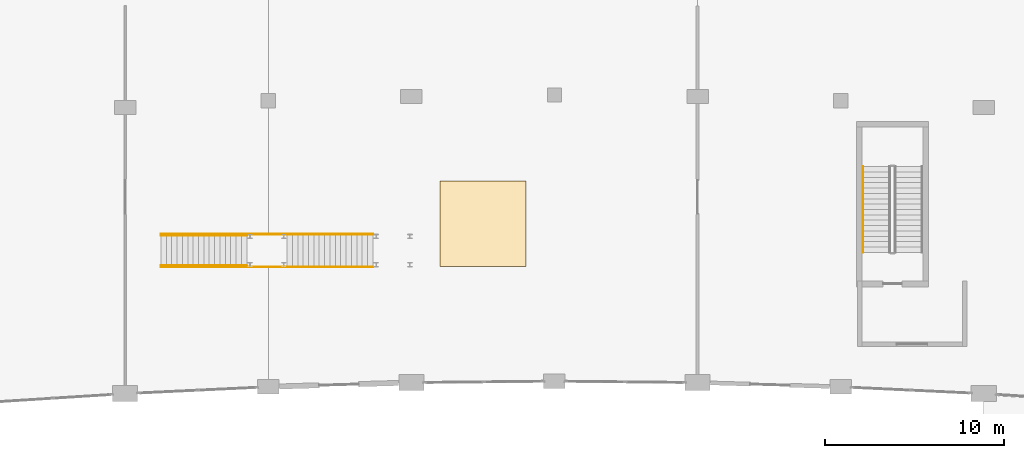
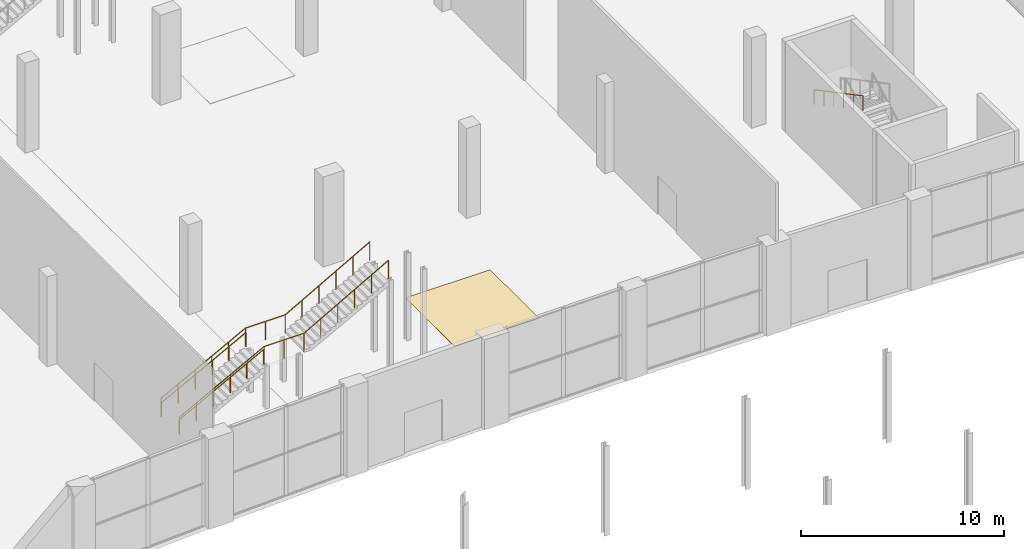
# One storey, part 77 of 86: 5 railings, 1 covering.
"""IFC4 building model written with IfcOpenShell, lengths in metres."""

from ifc_helpers import new_model, si_unit, direction, frame, origin, origin_2d, place, context, subcontext, project, spatial, rectangle, circle, extrude, material, layer, layer_set, type_object, element, save


model = new_model("IFC4")

# Units and contexts
model_context = context("Model", 3, precision=1e-05, world=origin(), true_north=direction((0.0, 1.0)))
body_context = subcontext(model_context, "Body", "Model", "MODEL_VIEW")
ifc_project = project(units=[si_unit("LENGTHUNIT", "METRE"), si_unit("AREAUNIT", "SQUARE_METRE"), si_unit("VOLUMEUNIT", "CUBIC_METRE"), si_unit("PLANEANGLEUNIT", "RADIAN"), si_unit("MASSUNIT", "GRAM", prefix="KILO")], contexts=[model_context])

# Site, building, storey
site_placement = place(None, origin())
site = spatial("IfcSite", under=ifc_project, at=site_placement, CompositionType="ELEMENT")
building_placement = place(site_placement, origin())
building = spatial("IfcBuilding", under=site, at=building_placement, Name="Kenh Van Central Station", CompositionType="ELEMENT")
storey_placement = place(building_placement, origin())
storey = spatial("IfcBuildingStorey", under=building, at=storey_placement, Name="L00", CompositionType="ELEMENT", Elevation=0.0)

# Covering
ifc_material_1 = material(Name="Polished station granite terrazzo", Category="masonry")
ifc_layer = layer(ifc_material_1, 0.02001953125, Name="Polished station granite terrazzo")
ifc_layer_set = layer_set([ifc_layer], Name="Polished station granite terrazzo")
covering_type = type_object("IfcCoveringType", Name="COV-FLR-GRANITE", PredefinedType="FLOORING", material=ifc_layer_set)
covering_placement = place(storey_placement, frame((84.0, 76.0, 0.0), z_axis=(0.0, 0.0, 1.0), x_axis=(1.0, 0.0, 0.0)))
element("IfcCovering", 1, at=covering_placement, inside=storey, type_object=covering_type, Name="L00 granite floor finish 019", PredefinedType="FLOORING", context=body_context, shape_type="SweptSolid", body=[
    extrude(rectangle(XDim=4.800048828125, YDim=4.800048828125, at=origin_2d()), origin(), (0.0, 0.0, 1.0), 0.02001953125),
])

# Railings
ifc_material_2 = material(Name="Champagne anodised aluminium", Category="aluminium")
railing_type_1 = type_object("IfcRailingType", Name="RAIL-CORE-HND90", PredefinedType="HANDRAIL", material=ifc_material_2)
railing_1_placement = place(storey_placement, frame((105.25, 79.199951171875, 2.85888671875)))
element("IfcRailing", 2, at=railing_1_placement, inside=storey, type_object=railing_type_1, Name="L00 ST-06 stair handrail 2", PredefinedType="HANDRAIL", context=body_context, shape_type="SweptSolid", body=[
    extrude(circle(Radius=0.02392578125, at=origin_2d()), frame((0.0, 0.0, 0.8759765625), z_axis=(0.0, -0.883802130504, 0.467860870469), x_axis=(1.0, 0.0, 0.0)), (0.0, 0.0, 1.0), 5.43115234375),
    extrude(circle(Radius=0.02099609375, at=origin_2d()), origin(), (0.0, 0.0, 1.0), 0.851806640625),
    extrude(circle(Radius=0.02099609375, at=origin_2d()), frame((0.0, -0.9599609375, 0.50830078125)), (0.0, 0.0, 1.0), 0.851806640625),
    extrude(circle(Radius=0.02099609375, at=origin_2d()), frame((0.0, -1.919921875, 1.016357421875)), (0.0, 0.0, 1.0), 0.851806640625),
    extrude(circle(Radius=0.02099609375, at=origin_2d()), frame((0.0, -2.880126953125, 1.524658203125)), (0.0, 0.0, 1.0), 0.851806640625),
    extrude(circle(Radius=0.02099609375, at=origin_2d()), frame((0.0, -3.840087890625, 2.03271484375)), (0.0, 0.0, 1.0), 0.851806640625),
    extrude(circle(Radius=0.02099609375, at=origin_2d()), frame((0.0, -4.800048828125, 2.541015625)), (0.0, 0.0, 1.0), 0.851806640625),
])
for number, where, name in (
    (3, (66.0, 73.64501953125, 0.158935546875), "Island Platform 1 Central Transfer Stair handrail 1"),
    (4, (66.0, 75.35498046875, 0.158935546875), "Island Platform 1 Central Transfer Stair handrail 2"),
):
    element("IfcRailing", number, at=place(storey_placement, frame(where)), inside=storey, type_object=railing_type_1, Name=name, PredefinedType="HANDRAIL", context=body_context, shape_type="SweptSolid", body=[
        extrude(circle(Radius=0.02392578125, at=origin_2d()), frame((0.0, 0.0, 0.8759765625), z_axis=(0.883802130504, 0.0, 0.467860870469), x_axis=(0.0, 1.0, 0.0)), (0.0, 0.0, 1.0), 5.43115234375),
        extrude(circle(Radius=0.02099609375, at=origin_2d()), origin(), (0.0, 0.0, 1.0), 0.851806640625),
        extrude(circle(Radius=0.02099609375, at=origin_2d()), frame((0.9599609375, 0.0, 0.50830078125)), (0.0, 0.0, 1.0), 0.851806640625),
        extrude(circle(Radius=0.02099609375, at=origin_2d()), frame((1.919921875, 0.0, 1.016357421875)), (0.0, 0.0, 1.0), 0.851806640625),
        extrude(circle(Radius=0.02099609375, at=origin_2d()), frame((2.880126953125, 0.0, 1.524658203125)), (0.0, 0.0, 1.0), 0.851806640625),
        extrude(circle(Radius=0.02099609375, at=origin_2d()), frame((3.840087890625, 0.0, 2.03271484375)), (0.0, 0.0, 1.0), 0.851806640625),
        extrude(circle(Radius=0.02099609375, at=origin_2d()), frame((4.800048828125, 0.0, 2.541015625)), (0.0, 0.0, 1.0), 0.851806640625),
    ])
railing_type_2 = type_object("IfcRailingType", Name="RAIL-PUB-BAL112", PredefinedType="BALUSTRADE", material=ifc_material_2)
railing_2_placement = place(storey_placement, frame((66.0, 73.5849609375, 0.158935546875)))
element("IfcRailing", 5, at=railing_2_placement, inside=storey, type_object=railing_type_2, Name="Island Platform 1 Central Transfer Stair balustrade 1", PredefinedType="BALUSTRADE", context=body_context, shape_type="SweptSolid", body=[
    extrude(circle(Radius=0.02392578125, at=origin_2d()), frame((0.0, 0.0, 1.09619140625), z_axis=(0.883802130504, 0.0, 0.467860870469), x_axis=(0.0, 1.0, 0.0)), (0.0, 0.0, 1.0), 5.43115234375),
    extrude(circle(Radius=0.02392578125, at=origin_2d()), frame((4.800048828125, 0.0, 3.63720703125), z_axis=(1.0, 0.0, 0.0), x_axis=(0.0, 1.0, 0.0)), (0.0, 0.0, 1.0), 2.25),
    extrude(circle(Radius=0.02392578125, at=origin_2d()), frame((7.050048828125, 0.0, 3.63720703125), z_axis=(0.871581456561, 0.0, 0.490250716042), x_axis=(0.0, 1.0, 0.0)), (0.0, 0.0, 1.0), 5.50732421875),
    extrude(circle(Radius=0.02099609375, at=origin_2d()), origin(), (0.0, 0.0, 1.0), 1.072021484375),
    extrude(circle(Radius=0.02099609375, at=origin_2d()), frame((0.9599609375, 0.0, 0.50830078125)), (0.0, 0.0, 1.0), 1.072021484375),
    extrude(circle(Radius=0.02099609375, at=origin_2d()), frame((1.919921875, 0.0, 1.016357421875)), (0.0, 0.0, 1.0), 1.072021484375),
    extrude(circle(Radius=0.02099609375, at=origin_2d()), frame((2.880126953125, 0.0, 1.524658203125)), (0.0, 0.0, 1.0), 1.072021484375),
    extrude(circle(Radius=0.02099609375, at=origin_2d()), frame((3.840087890625, 0.0, 2.03271484375)), (0.0, 0.0, 1.0), 1.072021484375),
    extrude(circle(Radius=0.02099609375, at=origin_2d()), frame((4.800048828125, 0.0, 2.541015625)), (0.0, 0.0, 1.0), 1.072021484375),
    extrude(circle(Radius=0.02099609375, at=origin_2d()), frame((5.925048828125, 0.0, 2.541015625)), (0.0, 0.0, 1.0), 1.072021484375),
    extrude(circle(Radius=0.02099609375, at=origin_2d()), frame((7.050048828125, 0.0, 2.541015625)), (0.0, 0.0, 1.0), 1.072021484375),
    extrude(circle(Radius=0.02099609375, at=origin_2d()), frame((8.010009765625, 0.0, 3.0810546875)), (0.0, 0.0, 1.0), 1.072021484375),
    extrude(circle(Radius=0.02099609375, at=origin_2d()), frame((8.969970703125, 0.0, 3.62109375)), (0.0, 0.0, 1.0), 1.072021484375),
    extrude(circle(Radius=0.02099609375, at=origin_2d()), frame((9.93017578125, 0.0, 4.160888671875)), (0.0, 0.0, 1.0), 1.072021484375),
    extrude(circle(Radius=0.02099609375, at=origin_2d()), frame((10.89013671875, 0.0, 4.700927734375)), (0.0, 0.0, 1.0), 1.072021484375),
    extrude(circle(Radius=0.02099609375, at=origin_2d()), frame((11.85009765625, 0.0, 5.240966796875)), (0.0, 0.0, 1.0), 1.072021484375),
])
railing_3_placement = place(storey_placement, frame((66.0, 75.4150390625, 0.158935546875)))
element("IfcRailing", 6, at=railing_3_placement, inside=storey, type_object=railing_type_2, Name="Island Platform 1 Central Transfer Stair balustrade 2", PredefinedType="BALUSTRADE", context=body_context, shape_type="SweptSolid", body=[
    extrude(circle(Radius=0.02392578125, at=origin_2d()), frame((0.0, 0.0, 1.09619140625), z_axis=(0.883802130504, 0.0, 0.467860870469), x_axis=(0.0, 1.0, 0.0)), (0.0, 0.0, 1.0), 5.43115234375),
    extrude(circle(Radius=0.02392578125, at=origin_2d()), frame((4.800048828125, 0.0, 3.63720703125), z_axis=(1.0, 0.0, 0.0), x_axis=(0.0, 1.0, 0.0)), (0.0, 0.0, 1.0), 2.25),
    extrude(circle(Radius=0.02392578125, at=origin_2d()), frame((7.050048828125, 0.0, 3.63720703125), z_axis=(0.871581456561, 0.0, 0.490250716042), x_axis=(0.0, 1.0, 0.0)), (0.0, 0.0, 1.0), 5.50732421875),
    extrude(circle(Radius=0.02099609375, at=origin_2d()), origin(), (0.0, 0.0, 1.0), 1.072021484375),
    extrude(circle(Radius=0.02099609375, at=origin_2d()), frame((0.9599609375, 0.0, 0.50830078125)), (0.0, 0.0, 1.0), 1.072021484375),
    extrude(circle(Radius=0.02099609375, at=origin_2d()), frame((1.919921875, 0.0, 1.016357421875)), (0.0, 0.0, 1.0), 1.072021484375),
    extrude(circle(Radius=0.02099609375, at=origin_2d()), frame((2.880126953125, 0.0, 1.524658203125)), (0.0, 0.0, 1.0), 1.072021484375),
    extrude(circle(Radius=0.02099609375, at=origin_2d()), frame((3.840087890625, 0.0, 2.03271484375)), (0.0, 0.0, 1.0), 1.072021484375),
    extrude(circle(Radius=0.02099609375, at=origin_2d()), frame((4.800048828125, 0.0, 2.541015625)), (0.0, 0.0, 1.0), 1.072021484375),
    extrude(circle(Radius=0.02099609375, at=origin_2d()), frame((5.925048828125, 0.0, 2.541015625)), (0.0, 0.0, 1.0), 1.072021484375),
    extrude(circle(Radius=0.02099609375, at=origin_2d()), frame((7.050048828125, 0.0, 2.541015625)), (0.0, 0.0, 1.0), 1.072021484375),
    extrude(circle(Radius=0.02099609375, at=origin_2d()), frame((8.010009765625, 0.0, 3.0810546875)), (0.0, 0.0, 1.0), 1.072021484375),
    extrude(circle(Radius=0.02099609375, at=origin_2d()), frame((8.969970703125, 0.0, 3.62109375)), (0.0, 0.0, 1.0), 1.072021484375),
    extrude(circle(Radius=0.02099609375, at=origin_2d()), frame((9.93017578125, 0.0, 4.160888671875)), (0.0, 0.0, 1.0), 1.072021484375),
    extrude(circle(Radius=0.02099609375, at=origin_2d()), frame((10.89013671875, 0.0, 4.700927734375)), (0.0, 0.0, 1.0), 1.072021484375),
    extrude(circle(Radius=0.02099609375, at=origin_2d()), frame((11.85009765625, 0.0, 5.240966796875)), (0.0, 0.0, 1.0), 1.072021484375),
])

save(model, "model.ifc")
